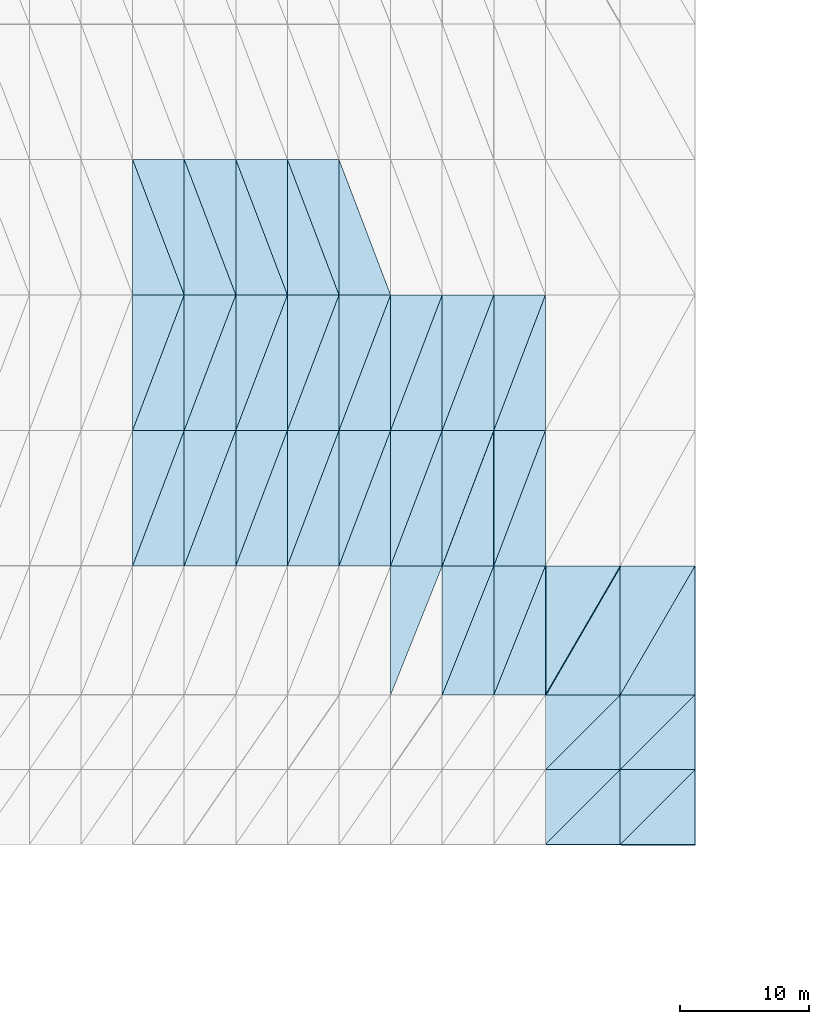
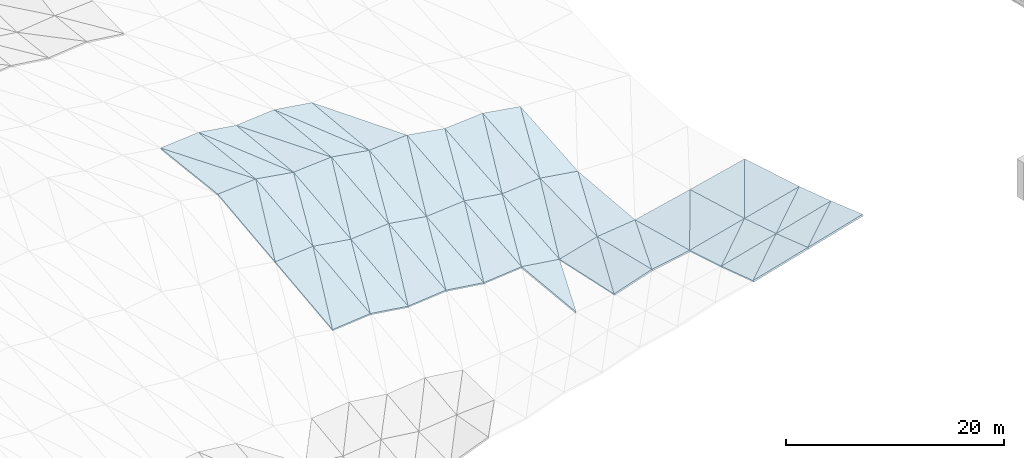
# One storey, part 28 of 42: 58 slabs, 2 elements without a shape of their own.
"""IFC4 building model written with IfcOpenShell, lengths in metres."""

from ifc_helpers import new_model, si_unit, direction, frame, origin, place, context, subcontext, project, spatial, polyline, outline, extrude, material, layer, layer_set, type_object, element, aggregate, save


model = new_model("IFC4")

# Units and contexts
model_context = context("Model", 3, precision=1e-05, world=origin(), true_north=direction((0.0, 1.0)))
body_context = subcontext(model_context, "Body", "Model", "MODEL_VIEW")
ifc_project = project(units=[si_unit("LENGTHUNIT", "METRE"), si_unit("AREAUNIT", "SQUARE_METRE"), si_unit("VOLUMEUNIT", "CUBIC_METRE"), si_unit("PLANEANGLEUNIT", "RADIAN"), si_unit("MASSUNIT", "GRAM", prefix="KILO")], contexts=[model_context])

# Site, building, storey
site_placement = place(None, origin())
site = spatial("IfcSite", under=ifc_project, at=site_placement, CompositionType="ELEMENT")
building_placement = place(site_placement, origin())
building = spatial("IfcBuilding", under=site, at=building_placement, Name="Khorjan Park Terminus", CompositionType="ELEMENT")
storey_placement = place(building_placement, frame((0.0, 0.0, 20.4)))
storey = spatial("IfcBuildingStorey", under=building, at=storey_placement, Name="L04", CompositionType="ELEMENT", Elevation=20.4)

# Roof, slabs
ifc_material = material(Name="Concrete C50/60", Category="concrete")
ifc_layer_1 = layer(ifc_material, 0.18)
ifc_layer_set_1 = layer_set([ifc_layer_1], Name="Concrete C50/60")
roof_type = type_object("IfcRoofType", Name="RF-SHELL-UPPER", PredefinedType="FREEFORM", material=ifc_layer_set_1)
roof_1_placement = place(storey_placement, origin())
roof_1 = element("IfcRoof", 1, at=roof_1_placement, inside=storey, type_object=roof_type, Name="Upper concourse upturned-corner folded concrete shell roof RF-CS1 (3)", PredefinedType="FREEFORM")
ifc_layer_2 = layer(ifc_material, 0.18)
ifc_layer_set_2 = layer_set([ifc_layer_2], Name="Concrete C50/60")
slab_type = type_object("IfcSlabType", Name="SL-SHL-180", PredefinedType="ROOF", material=ifc_layer_set_2)
slab_1_placement = place(storey_placement, frame((104.0, 36.0, 2.6523), z_axis=(-0.096067723655, -0.109179217693, 0.989368935684), x_axis=(0.995318870818, 0.0, 0.096645462356)))
slab_1 = element("IfcSlab", 2, at=slab_1_placement, type_object=slab_type, Name="Upper concourse folded concrete shell facet RS-18 (327)", PredefinedType="ROOF", context=body_context, shape_type="SweptSolid", body=[
    extrude(outline(polyline([(0.0, 0.0), (4.01881258085022, 6.938893903907228e-18), (4.130795678082584, 10.563145624099588), (0.0, 0.0)])), origin(), (0.0, 0.0, -1.0), 0.18),
])
slab_2_placement = place(storey_placement, frame((104.0, 36.0, 2.6523), z_axis=(-0.085451349086, -0.113298780999, 0.989879514468), x_axis=(0.352667985082, 0.925753460841, 0.13640315993)))
slab_2 = element("IfcSlab", 3, at=slab_2_placement, type_object=slab_type, Name="Upper concourse folded concrete shell facet RS-18 (328)", PredefinedType="ROOF", context=body_context, shape_type="SweptSolid", body=[
    extrude(outline(polyline([(0.0, 0.0), (11.342112607887474, 3.8163916471489756e-16), (9.884340656434457, 3.7408732974476506), (0.0, 0.0)])), origin(), (0.0, 0.0, -1.0), 0.18),
])
slab_3_placement = place(storey_placement, frame((104.0, 46.5, 3.8541), z_axis=(-0.085489919992, -0.109294299545, 0.990326324838), x_axis=(0.996294693349, 0.0, 0.086005139403)))
slab_3 = element("IfcSlab", 4, at=slab_3_placement, type_object=slab_type, Name="Upper concourse folded concrete shell facet RS-18 (329)", PredefinedType="ROOF", context=body_context, shape_type="SweptSolid", body=[
    extrude(outline(polyline([(0.0, 0.0), (4.014876348033648, 1.3877787807814457e-17), (4.114539103574294, 10.563280019726736), (0.0, 0.0)])), origin(), (0.0, 0.0, -1.0), 0.18),
])
slab_4_placement = place(storey_placement, frame((104.0, 46.5, 3.8541), z_axis=(-0.0748740157, -0.113395513215, 0.990724653653), x_axis=(0.352847963163, 0.926225903302, 0.132679655348)))
slab_4 = element("IfcSlab", 5, at=slab_4_placement, type_object=slab_type, Name="Upper concourse folded concrete shell facet RS-18 (330)", PredefinedType="ROOF", context=body_context, shape_type="SweptSolid", body=[
    extrude(outline(polyline([(0.0, 0.0), (11.33632730693676, 1.3183898417423734e-16), (9.884826394473576, 3.7395896019641715), (0.0, 0.0)])), origin(), (0.0, 0.0, -1.0), 0.18),
])
slab_5_placement = place(storey_placement, frame((104.0, 57.0, 5.0559), z_axis=(-0.0748740157, 0.113395513215, 0.990724653653), x_axis=(0.997156385058, 0.0, 0.075360093801)))
slab_5 = element("IfcSlab", 6, at=slab_5_placement, type_object=slab_type, Name="Upper concourse folded concrete shell facet RS-18 (331)", PredefinedType="ROOF", context=body_context, shape_type="SweptSolid", body=[
    extrude(outline(polyline([(0.0, 0.0), (4.011406896588777, 0.0), (-0.09056776072976917, 10.56816543780028), (0.0, 0.0)])), origin(), (0.0, 0.0, -1.0), 0.18),
])
slab_6_placement = place(storey_placement, frame((108.0, 57.0, 5.3582), z_axis=(-0.085489919992, 0.109294299545, 0.990326324838), x_axis=(0.0, 0.993965196176, -0.109695892317)))
slab_6 = element("IfcSlab", 7, at=slab_6_placement, type_object=slab_type, Name="Upper concourse folded concrete shell facet RS-18 (332)", PredefinedType="ROOF", context=body_context, shape_type="SweptSolid", body=[
    extrude(outline(polyline([(0.0, 0.0), (10.563750159862737, -1.3877787807814457e-17), (10.601628151479796, 4.0146976657964), (0.0, 0.0)])), origin(), (0.0, 0.0, -1.0), 0.18),
])
slab_7_placement = place(storey_placement, frame((108.0, 36.0, 3.0407), z_axis=(0.139238762803, -0.104633048871, 0.984715437077), x_axis=(0.990150474603, 0.0, -0.140007277109)))
slab_7 = element("IfcSlab", 8, at=slab_7_placement, type_object=slab_type, Name="Upper concourse folded concrete shell facet RS-18 (347)", PredefinedType="ROOF", context=body_context, shape_type="SweptSolid", body=[
    extrude(outline(polyline([(0.0, 0.0), (4.039790014344805, 0.0), (3.883583895274444, 10.557953690860979), (0.0, 0.0)])), origin(), (0.0, 0.0, -1.0), 0.18),
])
slab_8_placement = place(storey_placement, frame((108.0, 36.0, 3.0407), z_axis=(0.149531651523, -0.108453327462, 0.982791005736), x_axis=(0.355569448482, 0.933369802265, 0.048899688402)))
slab_8 = element("IfcSlab", 9, at=slab_8_placement, type_object=slab_type, Name="Upper concourse folded concrete shell facet RS-18 (348)", PredefinedType="ROOF", context=body_context, shape_type="SweptSolid", body=[
    extrude(outline(polyline([(0.0, 0.0), (11.249560436301502, 3.608224830031759e-16), (9.857042992735483, 3.7988536599037825), (0.0, 0.0)])), origin(), (0.0, 0.0, -1.0), 0.18),
])
slab_9_placement = place(storey_placement, frame((108.0, 46.5, 4.1994), z_axis=(0.149595752016, -0.104473330219, 0.983212303753), x_axis=(0.988622353186, 0.0, -0.150418891037)))
slab_9 = element("IfcSlab", 10, at=slab_9_placement, type_object=slab_type, Name="Upper concourse folded concrete shell facet RS-18 (349)", PredefinedType="ROOF", context=body_context, shape_type="SweptSolid", body=[
    extrude(outline(polyline([(0.0, 0.0), (4.046034349829473, 1.3877787807814457e-17), (3.8782119930992045, 10.55777543550636), (0.0, 0.0)])), origin(), (0.0, 0.0, -1.0), 0.18),
])
slab_10_placement = place(storey_placement, frame((108.0, 46.5, 4.1994), z_axis=(0.15985918064, -0.108285184404, 0.98118263397), x_axis=(0.355633328638, 0.933537487675, 0.045085415238)))
slab_10 = element("IfcSlab", 11, at=slab_10_placement, type_object=slab_type, Name="Upper concourse folded concrete shell facet RS-18 (350)", PredefinedType="ROOF", context=body_context, shape_type="SweptSolid", body=[
    extrude(outline(polyline([(0.0, 0.0), (11.24753974920738, -6.661338147750939e-16), (9.854388599765635, 3.8057644126783696), (0.0, 0.0)])), origin(), (0.0, 0.0, -1.0), 0.18),
])
slab_11_placement = place(storey_placement, frame((108.0, 57.0, 5.3582), z_axis=(0.15985918064, 0.108285184404, 0.98118263397), x_axis=(0.986986239924, 0.0, -0.16080473314)))
slab_11 = element("IfcSlab", 12, at=slab_11_placement, type_object=slab_type, Name="Upper concourse folded concrete shell facet RS-18 (351)", PredefinedType="ROOF", context=body_context, shape_type="SweptSolid", body=[
    extrude(outline(polyline([(0.0, 0.0), (4.052741404284266, 1.3877787807814457e-17), (0.18634052476224247, 10.562106544095803), (0.0, 0.0)])), origin(), (0.0, 0.0, -1.0), 0.18),
])
slab_12_placement = place(storey_placement, frame((112.0, 57.0, 4.7065), z_axis=(0.149595752016, 0.104473330219, 0.983212303753), x_axis=(0.0, 0.994402068368, -0.105662322636)))
slab_12 = element("IfcSlab", 13, at=slab_12_placement, type_object=slab_type, Name="Upper concourse folded concrete shell facet RS-18 (352)", PredefinedType="ROOF", context=body_context, shape_type="SweptSolid", body=[
    extrude(outline(polyline([(0.0, 0.0), (10.559109171232203, 0.0), (10.494803081675904, 4.045523289618535), (0.0, 0.0)])), origin(), (0.0, 0.0, -1.0), 0.18),
])
slab_13_placement = place(storey_placement, frame((112.0, 36.0, 2.4751), z_axis=(-0.096149759296, -0.101152696602, 0.990213792955), x_axis=(0.995318870818, 0.0, 0.096645462356)))
slab_13 = element("IfcSlab", 14, at=slab_13_placement, type_object=slab_type, Name="Upper concourse folded concrete shell facet RS-18 (367)", PredefinedType="ROOF", context=body_context, shape_type="SweptSolid", body=[
    extrude(outline(polyline([(0.0, 0.0), (4.01881258085022, 6.938893903907228e-18), (4.122474503773698, 10.554133075043909), (0.0, 0.0)])), origin(), (0.0, 0.0, -1.0), 0.18),
])
slab_14_placement = place(storey_placement, frame((112.0, 36.0, 2.4751), z_axis=(-0.085527220121, -0.105275158373, 0.990758414372), x_axis=(0.353023534466, 0.926686777974, 0.128941845964)))
slab_14 = element("IfcSlab", 15, at=slab_14_placement, type_object=slab_type, Name="Upper concourse folded concrete shell facet RS-18 (368)", PredefinedType="ROOF", context=body_context, shape_type="SweptSolid", body=[
    extrude(outline(polyline([(0.0, 0.0), (11.330689343548343, 9.71445146547012e-16), (9.874071586271503, 3.741322867541077), (0.0, 0.0)])), origin(), (0.0, 0.0, -1.0), 0.18),
])
slab_15_placement = place(storey_placement, frame((112.0, 46.5, 3.5908), z_axis=(-0.085563070971, -0.101260194703, 0.991173715276), x_axis=(0.996294693349, 0.0, 0.086005139403)))
slab_15 = element("IfcSlab", 16, at=slab_15_placement, type_object=slab_type, Name="Upper concourse folded concrete shell facet RS-18 (369)", PredefinedType="ROOF", context=body_context, shape_type="SweptSolid", body=[
    extrude(outline(polyline([(0.0, 0.0), (4.014876348033647, 0.0), (4.107134061071662, 10.554249087660619), (0.0, 0.0)])), origin(), (0.0, 0.0, -1.0), 0.18),
])
slab_16_placement = place(storey_placement, frame((112.0, 46.5, 3.5908), z_axis=(-0.074940608988, -0.105365200067, 0.991605808645), x_axis=(0.353193862189, 0.927133888246, 0.125207224146)))
slab_16 = element("IfcSlab", 17, at=slab_16_placement, type_object=slab_type, Name="Upper concourse folded concrete shell facet RS-18 (370)", PredefinedType="ROOF", context=body_context, shape_type="SweptSolid", body=[
    extrude(outline(polyline([(0.0, 0.0), (11.325225119175334, 1.1796119636642288e-16), (9.874599526560512, 3.7399292346314383), (0.0, 0.0)])), origin(), (0.0, 0.0, -1.0), 0.18),
])
slab_17_placement = place(storey_placement, frame((112.0, 57.0, 4.7065), z_axis=(-0.074940608988, 0.105365200067, 0.991605808645), x_axis=(0.997156385058, 0.0, 0.075360093801)))
slab_17 = element("IfcSlab", 18, at=slab_17_placement, type_object=slab_type, Name="Upper concourse folded concrete shell facet RS-18 (371)", PredefinedType="ROOF", context=body_context, shape_type="SweptSolid", body=[
    extrude(outline(polyline([(0.0, 0.0), (4.011406896588777, 6.938893903907228e-18), (-0.08407925665352274, 10.558774416029571), (0.0, 0.0)])), origin(), (0.0, 0.0, -1.0), 0.18),
])
slab_18_placement = place(storey_placement, frame((116.0, 57.0, 5.0088), z_axis=(-0.085563070971, 0.101260194703, 0.991173715276), x_axis=(0.0, 0.994821970074, -0.101632907362)))
slab_18 = element("IfcSlab", 19, at=slab_18_placement, type_object=slab_type, Name="Upper concourse folded concrete shell facet RS-18 (372)", PredefinedType="ROOF", context=body_context, shape_type="SweptSolid", body=[
    extrude(outline(polyline([(0.0, 0.0), (10.554652305500166, 1.3877787807814457e-17), (10.589746148412166, 4.014722968299265), (0.0, 0.0)])), origin(), (0.0, 0.0, -1.0), 0.18),
])
slab_19_placement = place(storey_placement, frame((116.0, 36.0, 2.8635), z_axis=(0.139352001218, -0.096636910119, 0.985516274528), x_axis=(0.990150474603, 0.0, -0.140007277109)))
slab_19 = element("IfcSlab", 20, at=slab_19_placement, type_object=slab_type, Name="Upper concourse folded concrete shell facet RS-18 (387)", PredefinedType="ROOF", context=body_context, shape_type="SweptSolid", body=[
    extrude(outline(polyline([(0.0, 0.0), (4.039790014344805, 0.0), (3.8956385218335177, 10.549374223488652), (0.0, 0.0)])), origin(), (0.0, 0.0, -1.0), 0.18),
])
slab_20_placement = place(storey_placement, frame((116.0, 36.0, 2.8635), z_axis=(0.149657647488, -0.10047903397, 0.983619109351), x_axis=(0.355692173208, 0.93369195467, 0.041260292092)))
slab_20 = element("IfcSlab", 21, at=slab_20_placement, type_object=slab_type, Name="Upper concourse folded concrete shell facet RS-18 (388)", PredefinedType="ROOF", context=body_context, shape_type="SweptSolid", body=[
    extrude(outline(polyline([(0.0, 0.0), (11.245678992395257, 3.469446951953614e-16), (9.84802131333214, 3.7969654952548497), (0.0, 0.0)])), origin(), (0.0, 0.0, -1.0), 0.18),
])
slab_21_placement = place(storey_placement, frame((116.0, 46.5, 3.9361), z_axis=(0.149717041847, -0.096489157808, 0.984009476482), x_axis=(0.988622353186, 0.0, -0.150418891037)))
slab_21 = element("IfcSlab", 22, at=slab_21_placement, type_object=slab_type, Name="Upper concourse folded concrete shell facet RS-18 (389)", PredefinedType="ROOF", context=body_context, shape_type="SweptSolid", body=[
    extrude(outline(polyline([(0.0, 0.0), (4.046034349829473, 0.0), (3.8911630596175124, 10.549222295670335), (0.0, 0.0)])), origin(), (0.0, 0.0, -1.0), 0.18),
])
slab_22_placement = place(storey_placement, frame((116.0, 46.5, 3.9361), z_axis=(0.159993449601, -0.100323679979, 0.982006749122), x_axis=(0.355745701415, 0.933832466215, 0.037442235074)))
slab_22 = element("IfcSlab", 23, at=slab_22_placement, type_object=slab_type, Name="Upper concourse folded concrete shell facet RS-18 (390)", PredefinedType="ROOF", context=body_context, shape_type="SweptSolid", body=[
    extrude(outline(polyline([(0.0, 0.0), (11.243986881884913, -1.6653345369377348e-16), (9.845405180821617, 3.803772090366468), (0.0, 0.0)])), origin(), (0.0, 0.0, -1.0), 0.18),
])
slab_23_placement = place(storey_placement, frame((116.0, 57.0, 5.0088), z_axis=(0.159993449601, 0.100323679979, 0.982006749122), x_axis=(0.986986239924, 0.0, -0.16080473314)))
slab_23 = element("IfcSlab", 24, at=slab_23_placement, type_object=slab_type, Name="Upper concourse folded concrete shell facet RS-18 (391)", PredefinedType="ROOF", context=body_context, shape_type="SweptSolid", body=[
    extrude(outline(polyline([(0.0, 0.0), (4.052741404284266, 1.3877787807814457e-17), (0.1724952372389177, 10.553242662003461), (0.0, 0.0)])), origin(), (0.0, 0.0, -1.0), 0.18),
])
slab_24_placement = place(storey_placement, frame((120.0, 57.0, 4.3571), z_axis=(0.149717041847, 0.096489157808, 0.984009476482), x_axis=(0.0, 0.995226792439, -0.097589095761)))
slab_24 = element("IfcSlab", 25, at=slab_24_placement, type_object=slab_type, Name="Upper concourse folded concrete shell facet RS-18 (392)", PredefinedType="ROOF", context=body_context, shape_type="SweptSolid", body=[
    extrude(outline(polyline([(0.0, 0.0), (10.550359053605714, -2.7755575615628914e-17), (10.490966329925294, 4.045598406215553), (0.0, 0.0)])), origin(), (0.0, 0.0, -1.0), 0.18),
])
slab_25_placement = place(storey_placement, frame((120.0, 36.0, 2.2979), z_axis=(-0.096250196009, -0.093106152713, 0.990993009105), x_axis=(0.995316476949, 0.0, 0.096670112824)))
slab_25 = element("IfcSlab", 26, at=slab_25_placement, type_object=slab_type, Name="Upper concourse folded concrete shell facet RS-18 (407)", PredefinedType="ROOF", context=body_context, shape_type="SweptSolid", body=[
    extrude(outline(polyline([(0.0, 0.0), (4.01882224662898, 0.0), (4.114187312929555, 10.545809013732873), (0.0, 0.0)])), origin(), (0.0, 0.0, -1.0), 0.18),
])
slab_26_placement = place(storey_placement, frame((120.0, 36.0, 2.2979), z_axis=(-0.08562224169, -0.097230716678, 0.991571994089), x_axis=(0.353359337795, 0.927568261713, 0.121467272367)))
slab_26 = element("IfcSlab", 27, at=slab_26_placement, type_object=slab_type, Name="Upper concourse folded concrete shell facet RS-18 (408)", PredefinedType="ROOF", context=body_context, shape_type="SweptSolid", body=[
    extrude(outline(polyline([(0.0, 0.0), (11.31992159866843, 5.551115123125783e-16), (9.86452945161169, 3.741809035518192), (0.0, 0.0)])), origin(), (0.0, 0.0, -1.0), 0.18),
])
slab_27_placement = place(storey_placement, frame((120.0, 46.5, 3.3275), z_axis=(-0.085655436359, -0.093196666907, 0.991956414113), x_axis=(0.996292558823, 0.0, 0.086029862454)))
slab_27 = element("IfcSlab", 28, at=slab_27_placement, type_object=slab_type, Name="Upper concourse folded concrete shell facet RS-18 (409)", PredefinedType="ROOF", context=body_context, shape_type="SweptSolid", body=[
    extrude(outline(polyline([(0.0, 0.0), (4.014884949783742, 6.938893903907228e-18), (4.0997534090949745, 10.545898709669753), (0.0, 0.0)])), origin(), (0.0, 0.0, -1.0), 0.18),
])
slab_28_placement = place(storey_placement, frame((120.0, 46.5, 3.3275), z_axis=(-0.075002412752, -0.097314221658, 0.992423589172), x_axis=(0.35352030815, 0.927990808895, 0.117713424606)))
slab_28 = element("IfcSlab", 29, at=slab_28_placement, type_object=slab_type, Name="Upper concourse folded concrete shell facet RS-18 (410)", PredefinedType="ROOF", context=body_context, shape_type="SweptSolid", body=[
    extrude(outline(polyline([(0.0, 0.0), (11.314767236227178, -2.3592239273284576e-16), (9.865101235367462, 3.7403012948092016), (0.0, 0.0)])), origin(), (0.0, 0.0, -1.0), 0.18),
])
slab_29_placement = place(storey_placement, frame((120.0, 57.0, 4.3571), z_axis=(-0.075002412752, 0.097314221658, 0.992423589172), x_axis=(0.997156385058, 0.0, 0.075360093801)))
slab_29 = element("IfcSlab", 30, at=slab_29_placement, type_object=slab_type, Name="Upper concourse folded concrete shell facet RS-18 (411)", PredefinedType="ROOF", context=body_context, shape_type="SweptSolid", body=[
    extrude(outline(polyline([(0.0, 0.0), (4.011406896588777, -3.469446951953614e-18), (-0.07759075257727631, 10.550073736003675), (0.0, 0.0)])), origin(), (0.0, 0.0, -1.0), 0.18),
])
aggregate(roof_1, [slab_1, slab_2, slab_3, slab_4, slab_5, slab_6, slab_7, slab_8, slab_9, slab_10, slab_11, slab_12, slab_13, slab_14, slab_15, slab_16, slab_17, slab_18, slab_19, slab_20, slab_21, slab_22, slab_23, slab_24, slab_25, slab_26, slab_27, slab_28, slab_29])

roof_2_placement = place(storey_placement, origin())
roof_2 = element("IfcRoof", 31, at=roof_2_placement, inside=storey, type_object=roof_type, Name="Upper concourse upturned-corner folded concrete shell roof RF-CS1 (4)", PredefinedType="FREEFORM")
slab_30_placement = place(storey_placement, frame((124.0, 26.0, 3.6723), z_axis=(0.139344910731, 0.097157105721, 0.985466129637), x_axis=(0.367596208427, 0.918990521069, -0.142581379344)))
slab_30 = element("IfcSlab", 32, at=slab_30_placement, type_object=slab_type, Name="Upper concourse folded concrete shell facet RS-18 (426)", PredefinedType="ROOF", context=body_context, shape_type="SweptSolid", body=[
    extrude(outline(polyline([(0.0, 0.0), (10.881505054449041, -3.608224830031759e-16), (9.330476192582234, 3.7301759783763764), (0.0, 0.0)])), origin(), (0.0, 0.0, -1.0), 0.18),
])
slab_31_placement = place(storey_placement, frame((124.0, 36.0, 2.6864), z_axis=(0.139456510512, -0.088612697526, 0.986255378446), x_axis=(0.990150474603, 0.0, -0.140007277109)))
slab_31 = element("IfcSlab", 33, at=slab_31_placement, type_object=slab_type, Name="Upper concourse folded concrete shell facet RS-18 (427)", PredefinedType="ROOF", context=body_context, shape_type="SweptSolid", body=[
    extrude(outline(polyline([(0.0, 0.0), (4.039790014344805, -6.938893903907228e-18), (3.9077071491203017, 10.54146847819193), (0.0, 0.0)])), origin(), (0.0, 0.0, -1.0), 0.18),
])
slab_32_placement = place(storey_placement, frame((124.0, 36.0, 2.6864), z_axis=(0.149798260211, -0.092484989055, 0.984381535807), x_axis=(0.355794261532, 0.933959936522, 0.033604768002)))
slab_32 = element("IfcSlab", 34, at=slab_32_placement, type_object=slab_type, Name="Upper concourse folded concrete shell facet RS-18 (428)", PredefinedType="ROOF", context=body_context, shape_type="SweptSolid", body=[
    extrude(outline(polyline([(0.0, 0.0), (11.242452260961574, -3.608224830031759e-16), (9.83973043711536, 3.7951135918316794), (0.0, 0.0)])), origin(), (0.0, 0.0, -1.0), 0.18),
])
slab_33_placement = place(storey_placement, frame((124.0, 46.5, 3.6729), z_axis=(0.149853046941, -0.088476684571, 0.984741560314), x_axis=(0.988618677516, 0.0, -0.150443047251)))
slab_33 = element("IfcSlab", 35, at=slab_33_placement, type_object=slab_type, Name="Upper concourse folded concrete shell facet RS-18 (429)", PredefinedType="ROOF", context=body_context, shape_type="SweptSolid", body=[
    extrude(outline(polyline([(0.0, 0.0), (4.046049392926389, 0.0), (3.904121422149774, 10.541340522491017), (0.0, 0.0)])), origin(), (0.0, 0.0, -1.0), 0.18),
])
slab_34_placement = place(storey_placement, frame((124.0, 46.5, 3.6729), z_axis=(0.160141735554, -0.09233321476, 0.982766097292), x_axis=(0.35583749182, 0.934073416027, 0.029774702128)))
slab_34 = element("IfcSlab", 36, at=slab_34_placement, type_object=slab_type, Name="Upper concourse folded concrete shell facet RS-18 (430)", PredefinedType="ROOF", context=body_context, shape_type="SweptSolid", body=[
    extrude(outline(polyline([(0.0, 0.0), (11.241086428366257, -2.8449465006019636e-16), (9.837143611933904, 3.80181375243291), (0.0, 0.0)])), origin(), (0.0, 0.0, -1.0), 0.18),
])
slab_35_placement = place(storey_placement, frame((128.0, 26.0, 4.301), z_axis=(-0.311681983552, 0.222184563303, 0.923844338057), x_axis=(0.947528159205, 0.0, 0.319672312712)))
slab_35 = element("IfcSlab", 37, at=slab_35_placement, type_object=slab_type, Name="Upper concourse folded concrete shell facet RS-18 (445)", PredefinedType="ROOF", context=body_context, shape_type="SweptSolid", body=[
    extrude(outline(polyline([(0.0, 0.0), (4.221510422822618, 5.551115123125783e-17), (3.452698510751123, 10.256361598727738), (0.0, 0.0)])), origin(), (0.0, 0.0, -1.0), 0.18),
])
slab_36_placement = place(storey_placement, frame((128.0, 26.0, 4.301), z_axis=(-0.264906950261, 0.205405933301, 0.942142616735), x_axis=(0.369619976689, 0.924049941723, -0.097533471349)))
slab_36 = element("IfcSlab", 38, at=slab_36_placement, type_object=slab_type, Name="Upper concourse folded concrete shell facet RS-18 (446)", PredefinedType="ROOF", context=body_context, shape_type="SweptSolid", body=[
    extrude(outline(polyline([(0.0, 0.0), (10.821925902998967, 3.885780586188048e-16), (9.453141891467798, 3.9231849841393704), (0.0, 0.0)])), origin(), (0.0, 0.0, -1.0), 0.18),
])
slab_37_placement = place(storey_placement, frame((128.0, 36.0, 2.1208), z_axis=(-0.270648038783, -0.015043450542, 0.962560820779), x_axis=(0.962669755627, 0.0, 0.270678668538)))
slab_37 = element("IfcSlab", 39, at=slab_37_placement, type_object=slab_type, Name="Upper concourse folded concrete shell facet RS-18 (447)", PredefinedType="ROOF", context=body_context, shape_type="SweptSolid", body=[
    extrude(outline(polyline([(0.0, 0.0), (4.1551113210117485, -3.469446951953614e-18), (4.199529690518889, 10.501188305065783), (0.0, 0.0)])), origin(), (0.0, 0.0, -1.0), 0.18),
])
slab_38_placement = place(storey_placement, frame((128.0, 36.0, 2.1208), z_axis=(-0.085687247956, -0.089158022138, 0.992324817097), x_axis=(0.353676362254, 0.928400450916, 0.113954523918)))
slab_38 = element("IfcSlab", 40, at=slab_38_placement, type_object=slab_type, Name="Upper concourse folded concrete shell facet RS-18 (448)", PredefinedType="ROOF", context=body_context, shape_type="SweptSolid", body=[
    extrude(outline(polyline([(0.0, 0.0), (11.309774774061594, -3.608224830031759e-16), (9.855709432485021, 3.7423248312280157), (0.0, 0.0)])), origin(), (0.0, 0.0, -1.0), 0.18),
])
slab_39_placement = place(storey_placement, frame((128.0, 46.5, 3.0642), z_axis=(-0.0857176718, -0.08511497496, 0.992677148815), x_axis=(0.996292558823, 0.0, 0.086029862454)))
slab_39 = element("IfcSlab", 41, at=slab_39_placement, type_object=slab_type, Name="Upper concourse folded concrete shell facet RS-18 (449)", PredefinedType="ROOF", context=body_context, shape_type="SweptSolid", body=[
    extrude(outline(polyline([(0.0, 0.0), (4.014884949783742, 0.0), (4.092337634951408, 10.538241844423592), (0.0, 0.0)])), origin(), (0.0, 0.0, -1.0), 0.18),
])
slab_40_placement = place(storey_placement, frame((128.0, 46.5, 3.0642), z_axis=(-0.075059454177, -0.089234710484, 0.993178354971), x_axis=(0.353827480175, 0.928797135458, 0.110190723013)))
slab_40 = element("IfcSlab", 42, at=slab_40_placement, type_object=slab_type, Name="Upper concourse folded concrete shell facet RS-18 (450)", PredefinedType="ROOF", context=body_context, shape_type="SweptSolid", body=[
    extrude(outline(polyline([(0.0, 0.0), (11.304944426665704, 2.2898349882893854e-16), (9.85632385040073, 3.740706312452467), (0.0, 0.0)])), origin(), (0.0, 0.0, -1.0), 0.18),
])
slab_41_placement = place(storey_placement, frame((132.0, 26.0, 5.6505), z_axis=(-0.173486345816, 0.253003102153, 0.951783545832), x_axis=(0.983790717148, 0.0, 0.179320452968)))
slab_41 = element("IfcSlab", 43, at=slab_41_placement, type_object=slab_type, Name="Upper concourse folded concrete shell facet RS-18 (465)", PredefinedType="ROOF", context=body_context, shape_type="SweptSolid", body=[
    extrude(outline(polyline([(0.0, 0.0), (4.065905410852545, 0.0), (3.589235782772433, 10.336286243408024), (0.0, 0.0)])), origin(), (0.0, 0.0, -1.0), 0.18),
])
slab_42_placement = place(storey_placement, frame((132.0, 26.0, 5.6505), z_axis=(-0.114910383144, 0.232283649053, 0.9658363786), x_axis=(0.365572946645, 0.913932366612, -0.176306692843)))
slab_42 = element("IfcSlab", 44, at=slab_42_placement, type_object=slab_type, Name="Upper concourse folded concrete shell facet RS-18 (466)", PredefinedType="ROOF", context=body_context, shape_type="SweptSolid", body=[
    extrude(outline(polyline([(0.0, 0.0), (10.941728693858206, -6.106226635438361e-16), (9.563341262403634, 3.785040144940086), (0.0, 0.0)])), origin(), (0.0, 0.0, -1.0), 0.18),
])
slab_43_placement = place(storey_placement, frame((132.0, 36.0, 3.2455), z_axis=(-0.117696665444, 0.086724726516, 0.989255435544), x_axis=(0.992996736267, 0.0, 0.118141786697)))
slab_43 = element("IfcSlab", 45, at=slab_43_placement, type_object=slab_type, Name="Upper concourse folded concrete shell facet RS-18 (467)", PredefinedType="ROOF", context=body_context, shape_type="SweptSolid", body=[
    extrude(outline(polyline([(0.0, 0.0), (4.028210621355344, 6.938893903907228e-18), (3.9194611067004694, 10.53971032775865), (0.0, 0.0)])), origin(), (0.0, 0.0, -1.0), 0.18),
])
slab_44_placement = place(storey_placement, frame((132.0, 36.0, 3.2455), z_axis=(0.150425093278, -0.015448853721, 0.988500695109), x_axis=(0.355716964137, 0.93375703086, -0.039537940564)))
slab_44 = element("IfcSlab", 46, at=slab_44_placement, type_object=slab_type, Name="Upper concourse folded concrete shell facet RS-18 (468)", PredefinedType="ROOF", context=body_context, shape_type="SweptSolid", body=[
    extrude(outline(polyline([(0.0, 0.0), (11.244895248956302, -6.245004513516506e-16), (9.797960647986129, 3.778477993917032), (0.0, 0.0)])), origin(), (0.0, 0.0, -1.0), 0.18),
])
slab_45_placement = place(storey_placement, frame((132.0, 46.5, 3.4096), z_axis=(0.149955326887, -0.08045668082, 0.985413680872), x_axis=(0.988618677516, 0.0, -0.150443047251)))
slab_45 = element("IfcSlab", 47, at=slab_45_placement, type_object=slab_type, Name="Upper concourse folded concrete shell facet RS-18 (469)", PredefinedType="ROOF", context=body_context, shape_type="SweptSolid", body=[
    extrude(outline(polyline([(0.0, 0.0), (4.046049392926389, 6.938893903907228e-18), (3.9170745685180868, 10.534150596259236), (0.0, 0.0)])), origin(), (0.0, 0.0, -1.0), 0.18),
])
slab_46_placement = place(storey_placement, frame((132.0, 46.5, 3.4096), z_axis=(0.160231987454, -0.084325600184, 0.983470845196), x_axis=(0.355908226068, 0.934259093429, 0.02211969625)))
slab_46 = element("IfcSlab", 48, at=slab_46_placement, type_object=slab_type, Name="Upper concourse folded concrete shell facet RS-18 (470)", PredefinedType="ROOF", context=body_context, shape_type="SweptSolid", body=[
    extrude(outline(polyline([(0.0, 0.0), (11.238852341765151, -3.885780586188048e-16), (9.82963484353859, 3.7998445932290545), (0.0, 0.0)])), origin(), (0.0, 0.0, -1.0), 0.18),
])
slab_47_placement = place(storey_placement, frame((136.0, 14.4, 10.0221), z_axis=(-0.264398728306, 0.30965673576, 0.913348793435), x_axis=(0.960561936259, 0.0, 0.278066119134)))
slab_47 = element("IfcSlab", 49, at=slab_47_placement, type_object=slab_type, Name="Upper concourse folded concrete shell facet RS-18 (481)", PredefinedType="ROOF", context=body_context, shape_type="SweptSolid", body=[
    extrude(outline(polyline([(0.0, 0.0), (6.03813224432855, -5.551115123125783e-17), (5.491343027662901, 6.09981561299505), (0.0, 0.0)])), origin(), (0.0, 0.0, -1.0), 0.18),
])
slab_48_placement = place(storey_placement, frame((136.0, 14.4, 10.0221), z_axis=(-0.254949295013, 0.300491235088, 0.919078818496), x_axis=(0.70667312765, 0.70667312765, -0.035016871877)))
slab_48 = element("IfcSlab", 50, at=slab_48_placement, type_object=slab_type, Name="Upper concourse folded concrete shell facet RS-18 (482)", PredefinedType="ROOF", context=body_context, shape_type="SweptSolid", body=[
    extrude(outline(polyline([(0.0, 0.0), (8.207472129712054, 4.163336342344337e-16), (4.1651066345076115, 4.459578501739898), (0.0, 0.0)])), origin(), (0.0, 0.0, -1.0), 0.18),
])
slab_49_placement = place(storey_placement, frame((136.0, 20.2, 8.1258), z_axis=(-0.255776881502, 0.29048139591, 0.922062224321), x_axis=(0.963612582455, 0.0, 0.267302807571)))
slab_49 = element("IfcSlab", 51, at=slab_49_placement, type_object=slab_type, Name="Upper concourse folded concrete shell facet RS-18 (483)", PredefinedType="ROOF", context=body_context, shape_type="SweptSolid", body=[
    extrude(outline(polyline([(0.0, 0.0), (6.0190164653371845, -5.551115123125783e-17), (5.530600775343668, 6.061362054337965), (0.0, 0.0)])), origin(), (0.0, 0.0, -1.0), 0.18),
])
slab_50_placement = place(storey_placement, frame((136.0, 20.2, 8.1258), z_axis=(-0.244585523529, 0.279530886305, 0.9284613106), x_axis=(0.706856489826, 0.706856489826, -0.026604615815)))
slab_50 = element("IfcSlab", 52, at=slab_50_placement, type_object=slab_type, Name="Upper concourse folded concrete shell facet RS-18 (484)", PredefinedType="ROOF", context=body_context, shape_type="SweptSolid", body=[
    extrude(outline(polyline([(0.0, 0.0), (8.205343069610201, -1.1102230246251565e-15), (4.146224621125587, 4.415658029237771), (0.0, 0.0)])), origin(), (0.0, 0.0, -1.0), 0.18),
])
slab_51_placement = place(storey_placement, frame((136.0, 26.0, 6.3796), z_axis=(-0.245744419081, 0.263402504219, 0.932860547596), x_axis=(0.967009499939, 0.0, 0.254740312923)))
slab_51 = element("IfcSlab", 53, at=slab_51_placement, type_object=slab_type, Name="Upper concourse folded concrete shell facet RS-18 (485)", PredefinedType="ROOF", context=body_context, shape_type="SweptSolid", body=[
    extrude(outline(polyline([(0.0, 0.0), (5.997872823760115, 1.6653345369377348e-16), (5.278588076189323, 10.366067065763758), (0.0, 0.0)])), origin(), (0.0, 0.0, -1.0), 0.18),
])
slab_52_placement = place(storey_placement, frame((136.0, 26.0, 6.3796), z_axis=(-0.221395740689, 0.250523458042, 0.942455263116), x_axis=(0.498596083624, 0.859648420041, -0.111384645785)))
slab_52 = element("IfcSlab", 54, at=slab_52_placement, type_object=slab_type, Name="Upper concourse folded concrete shell facet RS-18 (486)", PredefinedType="ROOF", context=body_context, shape_type="SweptSolid", body=[
    extrude(outline(polyline([(0.0, 0.0), (11.632662570968012, 5.551115123125783e-16), (8.892566865832496, 5.290395238231074), (0.0, 0.0)])), origin(), (0.0, 0.0, -1.0), 0.18),
])
slab_53_placement = place(storey_placement, frame((141.8, 14.4, 11.7011), z_axis=(-0.263585106078, 0.318346250279, 0.910592420783), x_axis=(0.960566359707, 0.0, 0.278050838157)))
slab_53 = element("IfcSlab", 55, at=slab_53_placement, type_object=slab_type, Name="Upper concourse folded concrete shell facet RS-18 (501)", PredefinedType="ROOF", context=body_context, shape_type="SweptSolid", body=[
    extrude(outline(polyline([(0.0, 0.0), (6.038104438480656, 0.0), (5.474300753949388, 6.118307992844831), (0.0, 0.0)])), origin(), (0.0, 0.0, -1.0), 0.18),
])
slab_54_placement = place(storey_placement, frame((141.8, 14.4, 11.7011), z_axis=(-0.255371541457, 0.310436819436, 0.915649691177), x_axis=(0.706468321519, 0.706468321519, -0.042485543198)))
slab_54 = element("IfcSlab", 56, at=slab_54_placement, type_object=slab_type, Name="Upper concourse folded concrete shell facet RS-18 (502)", PredefinedType="ROOF", context=body_context, shape_type="SweptSolid", body=[
    extrude(outline(polyline([(0.0, 0.0), (8.209851487085487, 3.3306690738754696e-16), (4.181059836952755, 4.474982413353219), (0.0, 0.0)])), origin(), (0.0, 0.0, -1.0), 0.18),
])
slab_55_placement = place(storey_placement, frame((141.8, 20.2, 9.7347), z_axis=(-0.256199804494, 0.300832040465, 0.918619477045), x_axis=(0.963239486929, 0.0, 0.268644171389)))
slab_55 = element("IfcSlab", 57, at=slab_55_placement, type_object=slab_type, Name="Upper concourse folded concrete shell facet RS-18 (503)", PredefinedType="ROOF", context=body_context, shape_type="SweptSolid", body=[
    extrude(outline(polyline([(0.0, 0.0), (6.021347835825448, 5.551115123125783e-17), (5.511085096689268, 6.081722806660071), (0.0, 0.0)])), origin(), (0.0, 0.0, -1.0), 0.18),
])
slab_56_placement = place(storey_placement, frame((141.8, 20.2, 9.7347), z_axis=(-0.246306109006, 0.29121943987, 0.924404964563), x_axis=(0.706689847719, 0.706689847719, -0.034335379153)))
slab_56 = element("IfcSlab", 58, at=slab_56_placement, type_object=slab_type, Name="Upper concourse folded concrete shell facet RS-18 (504)", PredefinedType="ROOF", context=body_context, shape_type="SweptSolid", body=[
    extrude(outline(polyline([(0.0, 0.0), (8.207277943386579, -2.498001805406602e-16), (4.161538721558958, 4.433988645561177), (0.0, 0.0)])), origin(), (0.0, 0.0, -1.0), 0.18),
])
slab_57_placement = place(storey_placement, frame((141.8, 26.0, 7.9075), z_axis=(-0.247451230816, 0.276186893288, 0.928702691039), x_axis=(0.96628745768, 0.0, 0.257465627086)))
slab_57 = element("IfcSlab", 59, at=slab_57_placement, type_object=slab_type, Name="Upper concourse folded concrete shell facet RS-18 (505)", PredefinedType="ROOF", context=body_context, shape_type="SweptSolid", body=[
    extrude(outline(polyline([(0.0, 0.0), (6.002354634641294, 5.551115123125783e-17), (5.236677606250475, 10.404701816880415), (0.0, 0.0)])), origin(), (0.0, 0.0, -1.0), 0.18),
])
slab_58_placement = place(storey_placement, frame((141.8, 26.0, 7.9075), z_axis=(-0.225520282172, 0.26473504399, 0.9375798413), x_axis=(0.49793092087, 0.858501587706, -0.122636951804)))
slab_58 = element("IfcSlab", 60, at=slab_58_placement, type_object=slab_type, Name="Upper concourse folded concrete shell facet RS-18 (506)", PredefinedType="ROOF", context=body_context, shape_type="SweptSolid", body=[
    extrude(outline(polyline([(0.0, 0.0), (11.648202103758324, -6.106226635438361e-16), (8.931293574175996, 5.310810865760765), (0.0, 0.0)])), origin(), (0.0, 0.0, -1.0), 0.18),
])
aggregate(roof_2, [slab_30, slab_31, slab_32, slab_33, slab_34, slab_35, slab_36, slab_37, slab_38, slab_39, slab_40, slab_41, slab_42, slab_43, slab_44, slab_45, slab_46, slab_47, slab_48, slab_49, slab_50, slab_51, slab_52, slab_53, slab_54, slab_55, slab_56, slab_57, slab_58])

save(model, "model.ifc")
